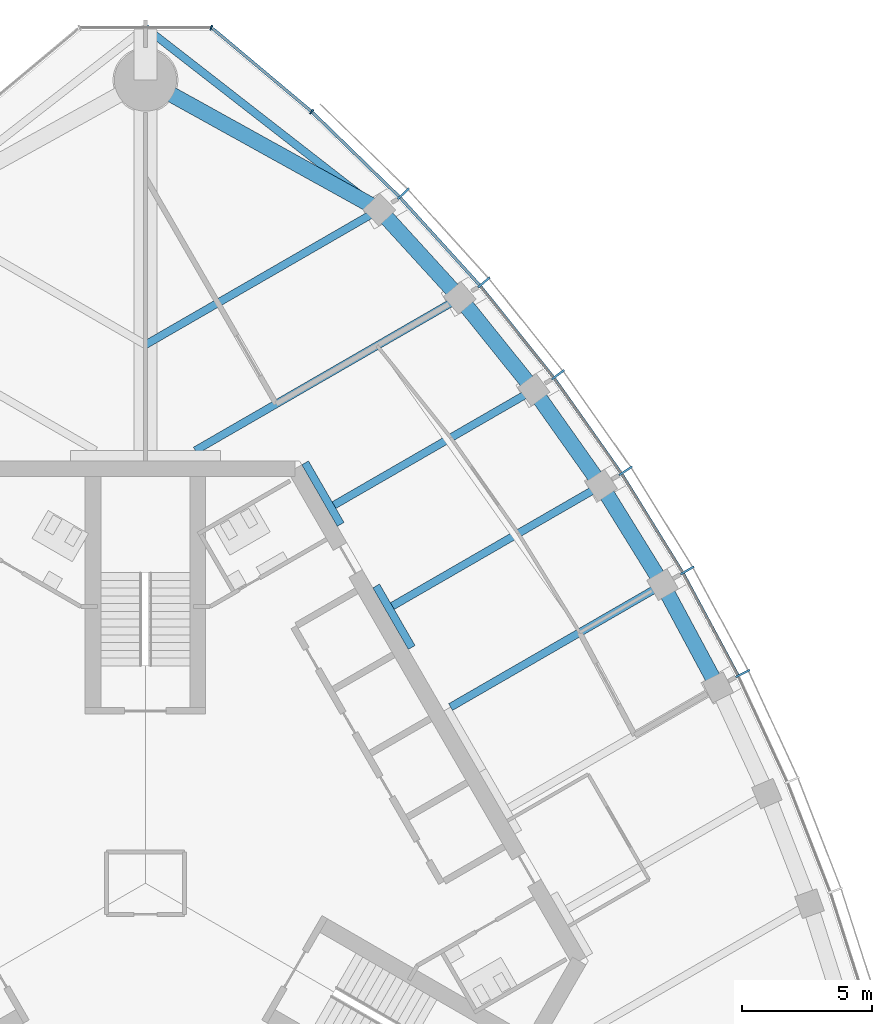
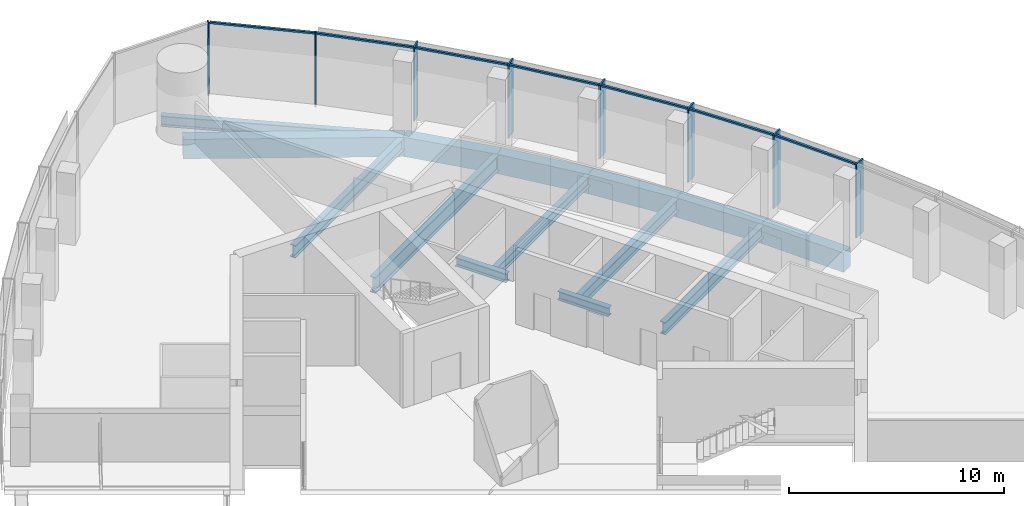
# One storey, part 6 of 16: 15 members, 14 beams, 2 elements without a shape of their own.
"""IFC4 building model written with IfcOpenShell, lengths in metres."""

from ifc_helpers import new_model, si_unit, direction, frame, origin, origin_2d, place, context, subcontext, project, spatial, rectangle, i_section, extrude, material, material_profile, profile_set, type_object, element, aggregate, save


model = new_model("IFC4")

# Units and contexts
model_context = context("Model", 3, precision=1e-05, world=origin(), true_north=direction((0.0, 1.0)))
body_context = subcontext(model_context, "Body", "Model", "MODEL_VIEW")
ifc_project = project(units=[si_unit("LENGTHUNIT", "METRE"), si_unit("AREAUNIT", "SQUARE_METRE"), si_unit("VOLUMEUNIT", "CUBIC_METRE"), si_unit("PLANEANGLEUNIT", "RADIAN"), si_unit("MASSUNIT", "GRAM", prefix="KILO")], contexts=[model_context])

# Site, building, storey
site_placement = place(None, origin())
site = spatial("IfcSite", under=ifc_project, at=site_placement, CompositionType="ELEMENT")
building_placement = place(site_placement, origin())
building = spatial("IfcBuilding", under=site, at=building_placement, Name="Trefoil Bronze Tower", CompositionType="ELEMENT")
storey_placement = place(building_placement, frame((0.0, 0.0, 314.10009765625)))
storey = spatial("IfcBuildingStorey", under=building, at=storey_placement, Name="L72", CompositionType="ELEMENT", Elevation=314.10009765625)

# Curtain wall, members
ifc_material_1 = material(Name="Tinted solar-control glass", Category="glass")
curtain_wall_type_1 = type_object("IfcCurtainWallType", Name="Bronze office curtain wall", PredefinedType="USERDEFINED", material=ifc_material_1)
curtain_wall_1_placement = place(storey_placement, origin())
curtain_wall_1 = element("IfcCurtainWall", 1, at=curtain_wall_1_placement, inside=storey, type_object=curtain_wall_type_1, Name="CW-A L72 F2", ObjectType="CURTAIN WALL", PredefinedType="USERDEFINED")
ifc_material_2 = material(Name="Bronze-finish aluminium", Category="aluminium")
ifc_material_profile_1 = material_profile(ifc_material_2, rectangle(XDim=0.60009765625, YDim=0.080078125, at=origin_2d()), Name="CW-A mullion")
ifc_profile_set_1 = profile_set([ifc_material_profile_1], Name="Bronze-finish aluminium")
member_type_1 = type_object("IfcMemberType", Name="Bronze office curtain wall mullion", PredefinedType="MULLION", material=ifc_profile_set_1)
member_1_placement = place(storey_placement, frame((23.056396484375, 8.094482421875, 0.0), z_axis=(0.0, 0.0, 1.0), x_axis=(-0.894713198289, -0.44664112306, 0.0)))
member_1 = element("IfcMember", 2, at=member_1_placement, type_object=member_type_1, Name="CW-A L72 F2 mullion 5", PredefinedType="MULLION", context=body_context, shape_type="SweptSolid", body=[
    extrude(rectangle(XDim=0.60009765625, YDim=0.080078125, at=origin_2d()), origin(), (0.0, 0.0, 1.0), 4.179931640625),
])
member_2_placement = place(storey_placement, frame((20.916015625, 12.07568359375, 0.0), z_axis=(0.0, 0.0, 1.0), x_axis=(-0.866025403784, -0.5, 0.0)))
member_2 = element("IfcMember", 3, at=member_2_placement, type_object=member_type_1, Name="CW-A L72 F2 mullion 6", PredefinedType="MULLION", context=body_context, shape_type="SweptSolid", body=[
    extrude(rectangle(XDim=0.60009765625, YDim=0.080078125, at=origin_2d()), origin(), (0.0, 0.0, 1.0), 4.179931640625),
])
member_3_placement = place(storey_placement, frame((18.538330078125, 15.920166015625, 0.0), z_axis=(0.0, 0.0, 1.0), x_axis=(-0.834159158089, -0.551523797289, 0.0)))
member_3 = element("IfcMember", 4, at=member_3_placement, type_object=member_type_1, Name="CW-A L72 F2 mullion 7", PredefinedType="MULLION", context=body_context, shape_type="SweptSolid", body=[
    extrude(rectangle(XDim=0.60009765625, YDim=0.080078125, at=origin_2d()), origin(), (0.0, 0.0, 1.0), 4.179931640625),
])
member_4_placement = place(storey_placement, frame((15.922607421875, 19.627197265625, 0.0), z_axis=(0.0, 0.0, 1.0), x_axis=(-0.799096076136, -0.601203344222, 0.0)))
member_4 = element("IfcMember", 5, at=member_4_placement, type_object=member_type_1, Name="CW-A L72 F2 mullion 8", PredefinedType="MULLION", context=body_context, shape_type="SweptSolid", body=[
    extrude(rectangle(XDim=0.60009765625, YDim=0.080078125, at=origin_2d()), origin(), (0.0, 0.0, 1.0), 4.179931640625),
])
member_5_placement = place(storey_placement, frame((13.064453125, 23.194091796875, 0.0), z_axis=(0.0, 0.0, 1.0), x_axis=(-0.760781190165, -0.649008459646, 0.0)))
member_5 = element("IfcMember", 6, at=member_5_placement, type_object=member_type_1, Name="CW-A L72 F2 mullion 9", PredefinedType="MULLION", context=body_context, shape_type="SweptSolid", body=[
    extrude(rectangle(XDim=0.60009765625, YDim=0.080078125, at=origin_2d()), origin(), (0.0, 0.0, 1.0), 4.179931640625),
])
member_6_placement = place(storey_placement, frame((9.957275390625, 26.617431640625, 0.0), z_axis=(0.0, 0.0, 1.0), x_axis=(-0.719001349715, -0.695008675564, 0.0)))
member_6 = element("IfcMember", 7, at=member_6_placement, type_object=member_type_1, Name="CW-A L72 F2 mullion 10", PredefinedType="MULLION", context=body_context, shape_type="SweptSolid", body=[
    extrude(rectangle(XDim=0.60009765625, YDim=0.080078125, at=origin_2d()), origin(), (0.0, 0.0, 1.0), 4.179931640625),
])
ifc_material_3 = material(Name="Bronze-finish aluminium", Category="aluminium")
ifc_material_profile_2 = material_profile(ifc_material_3, rectangle(XDim=0.1201171875, YDim=0.10009765625, at=origin_2d()), Name="CW-A transom")
ifc_profile_set_2 = profile_set([ifc_material_profile_2], Name="Bronze-finish aluminium")
member_type_2 = type_object("IfcMemberType", Name="Bronze office curtain wall transom", PredefinedType="USERDEFINED", material=ifc_profile_set_2)
member_7_placement = place(storey_placement, frame((22.857177734375, 8.043212890625, 4.1298828125), z_axis=(-0.473540024981, 0.880772300167, 0.0), x_axis=(-0.880772300167, -0.473540024981, 0.0)))
member_7 = element("IfcMember", 8, at=member_7_placement, type_object=member_type_2, Name="CW-A L72 F2 transom 5", ObjectType="TRANSOM", PredefinedType="USERDEFINED", context=body_context, shape_type="SweptSolid", body=[
    extrude(rectangle(XDim=0.1201171875, YDim=0.10009765625, at=origin_2d()), origin(), (0.0, 0.0, 1.0), 4.422119140625),
])
member_8_placement = place(storey_placement, frame((20.72021484375, 12.012451171875, 4.1298828125), z_axis=(-0.525978235299, 0.850498028212, 0.0), x_axis=(-0.850498028212, -0.525978235299, 0.0)))
member_8 = element("IfcMember", 9, at=member_8_placement, type_object=member_type_2, Name="CW-A L72 F2 transom 6", ObjectType="TRANSOM", PredefinedType="USERDEFINED", context=body_context, shape_type="SweptSolid", body=[
    extrude(rectangle(XDim=0.1201171875, YDim=0.10009765625, at=origin_2d()), origin(), (0.0, 0.0, 1.0), 4.422119140625),
])
member_9_placement = place(storey_placement, frame((18.3466796875, 15.84521484375, 4.1298828125), z_axis=(-0.5765665752, 0.817050172488, 0.0), x_axis=(-0.817050172488, -0.5765665752, 0.0)))
member_9 = element("IfcMember", 10, at=member_9_placement, type_object=member_type_2, Name="CW-A L72 F2 transom 7", ObjectType="TRANSOM", PredefinedType="USERDEFINED", context=body_context, shape_type="SweptSolid", body=[
    extrude(rectangle(XDim=0.1201171875, YDim=0.10009765625, at=origin_2d()), origin(), (0.0, 0.0, 1.0), 4.4384765625),
])
member_10_placement = place(storey_placement, frame((15.73583984375, 19.54052734375, 4.1298828125), z_axis=(-0.625300648488, 0.780383943325, 0.0), x_axis=(-0.780383943325, -0.625300648488, 0.0)))
member_10 = element("IfcMember", 11, at=member_10_placement, type_object=member_type_2, Name="CW-A L72 F2 transom 8", ObjectType="TRANSOM", PredefinedType="USERDEFINED", context=body_context, shape_type="SweptSolid", body=[
    extrude(rectangle(XDim=0.1201171875, YDim=0.10009765625, at=origin_2d()), origin(), (0.0, 0.0, 1.0), 4.472412109375),
])
member_11_placement = place(storey_placement, frame((12.88330078125, 23.09619140625, 4.1298828125), z_axis=(-0.672068269674, 0.740489190264, 0.0), x_axis=(-0.740489190264, -0.672068269674, 0.0)))
member_11 = element("IfcMember", 12, at=member_11_placement, type_object=member_type_2, Name="CW-A L72 F2 transom 9", ObjectType="TRANSOM", PredefinedType="USERDEFINED", context=body_context, shape_type="SweptSolid", body=[
    extrude(rectangle(XDim=0.1201171875, YDim=0.10009765625, at=origin_2d()), origin(), (0.0, 0.0, 1.0), 4.5244140625),
])
member_12_placement = place(storey_placement, frame((9.782470703125, 26.508544921875, 4.1298828125), z_axis=(-0.717224617883, 0.696842053484, 0.0), x_axis=(-0.696842053484, -0.717224617883, 0.0)))
member_12 = element("IfcMember", 13, at=member_12_placement, type_object=member_type_2, Name="CW-A L72 F2 transom 10", ObjectType="TRANSOM", PredefinedType="USERDEFINED", context=body_context, shape_type="SweptSolid", body=[
    extrude(rectangle(XDim=0.1201171875, YDim=0.10009765625, at=origin_2d()), origin(), (0.0, 0.0, 1.0), 4.6474609375),
])
aggregate(curtain_wall_1, [member_1, member_2, member_3, member_4, member_5, member_6, member_7, member_8, member_9, member_10, member_11, member_12])

ifc_material_4 = material(Name="Tinted solar-control glass", Category="glass")
curtain_wall_type_2 = type_object("IfcCurtainWallType", Name="Bronze rounded corner curtain wall", PredefinedType="USERDEFINED", material=ifc_material_4)
curtain_wall_2_placement = place(storey_placement, origin())
curtain_wall_2 = element("IfcCurtainWall", 14, at=curtain_wall_2_placement, inside=storey, type_object=curtain_wall_type_2, Name="CW-B L72 K2", ObjectType="CURTAIN WALL", PredefinedType="USERDEFINED")
ifc_material_5 = material(Name="Bronze-finish aluminium", Category="aluminium")
ifc_material_profile_3 = material_profile(ifc_material_5, rectangle(XDim=0.199951171875, YDim=0.06005859375, at=origin_2d()), Name="CW-B mullion")
ifc_profile_set_3 = profile_set([ifc_material_profile_3], Name="Bronze-finish aluminium")
member_type_3 = type_object("IfcMemberType", Name="Bronze rounded corner curtain wall mullion", PredefinedType="MULLION", material=ifc_profile_set_3)
member_13_placement = place(storey_placement, frame((6.4150390625, 29.77978515625, 0.0), z_axis=(0.0, 0.0, 1.0), x_axis=(-0.642787609687, -0.766044443119, 0.0)))
member_13 = element("IfcMember", 15, at=member_13_placement, type_object=member_type_3, Name="CW-B L72 K2 mullion 1", PredefinedType="MULLION", context=body_context, shape_type="SweptSolid", body=[
    extrude(rectangle(XDim=0.199951171875, YDim=0.06005859375, at=origin_2d()), origin(), (0.0, 0.0, 1.0), 4.179931640625),
])
member_14_placement = place(storey_placement, frame((2.542236328125, 33.021484375, 0.0), z_axis=(0.0, 0.0, 1.0), x_axis=(-0.342020143326, -0.939692620786, 0.0)))
member_14 = element("IfcMember", 16, at=member_14_placement, type_object=member_type_3, Name="CW-B L72 K2 mullion 2", PredefinedType="MULLION", context=body_context, shape_type="SweptSolid", body=[
    extrude(rectangle(XDim=0.199951171875, YDim=0.06005859375, at=origin_2d()), origin(), (0.0, 0.0, 1.0), 4.179931640625),
])
ifc_material_6 = material(Name="Bronze-finish aluminium", Category="aluminium")
ifc_material_profile_4 = material_profile(ifc_material_6, rectangle(XDim=0.1201171875, YDim=0.10009765625, at=origin_2d()), Name="CW-B transom")
ifc_profile_set_4 = profile_set([ifc_material_profile_4], Name="Bronze-finish aluminium")
member_type_4 = type_object("IfcMemberType", Name="Bronze rounded corner curtain wall transom", PredefinedType="USERDEFINED", material=ifc_profile_set_4)
member_15_placement = place(storey_placement, frame((6.39208984375, 29.799072265625, 4.1298828125), z_axis=(-0.766040522511, 0.642792282056, 0.0), x_axis=(-0.642792282056, -0.766040522511, 0.0)))
member_15 = element("IfcMember", 17, at=member_15_placement, type_object=member_type_4, Name="CW-B L72 K2 transom 1", ObjectType="TRANSOM", PredefinedType="USERDEFINED", context=body_context, shape_type="SweptSolid", body=[
    extrude(rectangle(XDim=0.1201171875, YDim=0.10009765625, at=origin_2d()), origin(), (0.0, 0.0, 1.0), 4.9560546875),
])
aggregate(curtain_wall_2, [member_13, member_14, member_15])

# Beams
ifc_material_7 = material(Name="Steel C355", Category="steel")
ifc_material_profile_5 = material_profile(ifc_material_7, i_section(OverallWidth=0.300048828125, OverallDepth=0.5, WebThickness=0.014404296875, FlangeThickness=0.028076171875, FilletRadius=0.027099609375, at=origin_2d()), Name="HEB 500")
ifc_profile_set_5 = profile_set([ifc_material_profile_5], Name="Steel C355")
beam_type_1 = type_object("IfcBeamType", Name="Core seat beam HEB 500", PredefinedType="BEAM", material=ifc_profile_set_5)
for number, where, z_axis, x_axis, name in (
    (18, (10.27685546875, 9.10009765625, -0.4501953125), (-0.500035825175, 0.866004719122, 0.0), (-0.866004719122, -0.500035825175, 0.0), "Core seat beam F2/+1 L72"),
    (19, (7.534423828125, 13.85009765625, -0.4501953125), (-0.499969057507, 0.866043267704, 0.0), (-0.866043267704, -0.499969057507, 0.0), "Core seat beam F2/+2 L72"),
):
    element("IfcBeam", number, at=place(storey_placement, frame(where, z_axis=z_axis, x_axis=x_axis)), inside=storey, type_object=beam_type_1, Name=name, PredefinedType="BEAM", context=body_context, shape_type="SweptSolid", body=[
        extrude(i_section(OverallWidth=0.300048828125, OverallDepth=0.5, WebThickness=0.014404296875, FlangeThickness=0.028076171875, FilletRadius=0.027099609375, at=origin_2d()), origin(), (0.0, 0.0, 1.0), 2.742431640625),
    ])
ifc_material_8 = material(Name="Steel C355", Category="steel")
ifc_material_profile_6 = material_profile(ifc_material_8, i_section(OverallWidth=0.300048828125, OverallDepth=0.60009765625, WebThickness=0.015380859375, FlangeThickness=0.030029296875, FilletRadius=0.027099609375, at=origin_2d()), Name="HEB 600")
ifc_profile_set_6 = profile_set([ifc_material_profile_6], Name="Steel C355")
beam_type_2 = type_object("IfcBeamType", Name="Corner edge beam HEB 600", PredefinedType="BEAM", material=ifc_profile_set_6)
beam_1_placement = place(storey_placement, frame((9.02734375, 25.99658203125, -0.5), z_axis=(-0.789270604977, 0.614045529354, 0.0), x_axis=(-0.614045529354, -0.789270604977, 0.0)))
element("IfcBeam", 20, at=beam_1_placement, inside=storey, type_object=beam_type_2, Name="Corner edge beam F2A L72", PredefinedType="BEAM", context=body_context, shape_type="SweptSolid", body=[
    extrude(i_section(OverallWidth=0.300048828125, OverallDepth=0.60009765625, WebThickness=0.015380859375, FlangeThickness=0.030029296875, FilletRadius=0.027099609375, at=origin_2d()), origin(), (0.0, 0.0, 1.0), 11.4375),
])
ifc_material_9 = material(Name="Concrete B80", Category="concrete")
ifc_material_profile_7 = material_profile(ifc_material_9, rectangle(XDim=0.60009765625, YDim=1.10009765625, at=origin_2d()), Name="RC 600x1100")
ifc_profile_set_7 = profile_set([ifc_material_profile_7], Name="Concrete B80")
beam_type_3 = type_object("IfcBeamType", Name="End spandrel beam RC 600x1100", PredefinedType="SPANDREL", material=ifc_profile_set_7)
beam_2_placement = place(storey_placement, frame((9.02734375, 25.99658203125, -0.75), z_axis=(-0.874641085074, 0.484771051426, 0.0), x_axis=(-0.484771051426, -0.874641085074, 0.0)))
element("IfcBeam", 21, at=beam_2_placement, inside=storey, type_object=beam_type_3, Name="Spandrel F2.10 L72", PredefinedType="SPANDREL", context=body_context, shape_type="SweptSolid", body=[
    extrude(rectangle(XDim=0.60009765625, YDim=1.10009765625, at=origin_2d()), origin(), (0.0, 0.0, 1.0), 10.3212890625),
])
ifc_material_10 = material(Name="Steel C355", Category="steel")
ifc_material_profile_8 = material_profile(ifc_material_10, i_section(OverallWidth=0.300048828125, OverallDepth=0.60009765625, WebThickness=0.015380859375, FlangeThickness=0.030029296875, FilletRadius=0.027099609375, at=origin_2d()), Name="HEB 600")
ifc_profile_set_8 = profile_set([ifc_material_profile_8], Name="Steel C355")
beam_type_4 = type_object("IfcBeamType", Name="Floor beam HEB 600", PredefinedType="BEAM", material=ifc_profile_set_8)
beam_3_placement = place(storey_placement, frame((14.98486328125, 19.043701171875, -0.5), z_axis=(-0.866034827411, -0.499983677445, 0.0), x_axis=(0.499983677445, -0.866034827411, 0.0)))
element("IfcBeam", 22, at=beam_3_placement, inside=storey, type_object=beam_type_4, Name="Floor beam F2/+2 L72", PredefinedType="BEAM", context=body_context, shape_type="SweptSolid", body=[
    extrude(i_section(OverallWidth=0.300048828125, OverallDepth=0.60009765625, WebThickness=0.015380859375, FlangeThickness=0.030029296875, FilletRadius=0.027099609375, at=origin_2d()), origin(), (0.0, 0.0, 1.0), 8.899169921875),
])
ifc_material_11 = material(Name="Steel C355", Category="steel")
ifc_material_profile_9 = material_profile(ifc_material_11, i_section(OverallWidth=0.300048828125, OverallDepth=0.699951171875, WebThickness=0.01708984375, FlangeThickness=0.031982421875, FilletRadius=0.027099609375, at=origin_2d()), Name="HEB 700")
ifc_profile_set_9 = profile_set([ifc_material_profile_9], Name="Steel C355")
beam_type_5 = type_object("IfcBeamType", Name="Floor beam HEB 700", PredefinedType="BEAM", material=ifc_profile_set_9)
beam_4_placement = place(storey_placement, frame((19.96337890625, 11.52587890625, -0.550048828125), z_axis=(-0.866029875693, -0.499992254348, 0.0), x_axis=(0.499992254348, -0.866029875693, 0.0)))
element("IfcBeam", 23, at=beam_4_placement, inside=storey, type_object=beam_type_5, Name="Floor beam F2/+0 L72", PredefinedType="BEAM", context=body_context, shape_type="SweptSolid", body=[
    extrude(i_section(OverallWidth=0.300048828125, OverallDepth=0.699951171875, WebThickness=0.01708984375, FlangeThickness=0.031982421875, FilletRadius=0.027099609375, at=origin_2d()), origin(), (0.0, 0.0, 1.0), 9.451904296875),
])
beam_5_placement = place(storey_placement, frame((17.593994140625, 15.35400390625, -0.550048828125), z_axis=(-0.866026261222, -0.499998514871, 0.0), x_axis=(0.499998514871, -0.866026261222, 0.0)))
element("IfcBeam", 24, at=beam_5_placement, inside=storey, type_object=beam_type_5, Name="Floor beam F2/+1 L72", PredefinedType="BEAM", context=body_context, shape_type="SweptSolid", body=[
    extrude(i_section(OverallWidth=0.300048828125, OverallDepth=0.699951171875, WebThickness=0.01708984375, FlangeThickness=0.031982421875, FilletRadius=0.027099609375, at=origin_2d()), origin(), (0.0, 0.0, 1.0), 9.31396484375),
])
beam_6_placement = place(storey_placement, frame((9.02734375, 25.99658203125, -0.550048828125), z_axis=(-0.866026453994, -0.499998180979, 0.0), x_axis=(0.499998180979, -0.866026453994, 0.0)))
element("IfcBeam", 25, at=beam_6_placement, inside=storey, type_object=beam_type_5, Name="Floor beam F2/+4 L72", PredefinedType="BEAM", context=body_context, shape_type="SweptSolid", body=[
    extrude(i_section(OverallWidth=0.300048828125, OverallDepth=0.699951171875, WebThickness=0.01708984375, FlangeThickness=0.031982421875, FilletRadius=0.027099609375, at=origin_2d()), origin(), (0.0, 0.0, 1.0), 10.423828125),
])
ifc_material_12 = material(Name="Steel C355", Category="steel")
ifc_material_profile_10 = material_profile(ifc_material_12, i_section(OverallWidth=0.300048828125, OverallDepth=0.89990234375, WebThickness=0.0185546875, FlangeThickness=0.034912109375, FilletRadius=0.030029296875, at=origin_2d()), Name="HEB 900")
ifc_profile_set_10 = profile_set([ifc_material_profile_10], Name="Steel C355")
beam_type_6 = type_object("IfcBeamType", Name="Floor beam HEB 900", PredefinedType="BEAM", material=ifc_profile_set_10)
beam_7_placement = place(storey_placement, frame((12.131591796875, 22.5927734375, -0.650146484375), z_axis=(-0.866017581749, -0.500013547917, 0.0), x_axis=(0.500013547917, -0.866017581749, 0.0)))
element("IfcBeam", 26, at=beam_7_placement, inside=storey, type_object=beam_type_6, Name="Floor beam F2/+3 L72", PredefinedType="BEAM", context=body_context, shape_type="SweptSolid", body=[
    extrude(i_section(OverallWidth=0.300048828125, OverallDepth=0.89990234375, WebThickness=0.0185546875, FlangeThickness=0.034912109375, FilletRadius=0.030029296875, at=origin_2d()), origin(), (0.0, 0.0, 1.0), 11.785400390625),
])
ifc_material_13 = material(Name="Concrete B80", Category="concrete")
ifc_material_profile_11 = material_profile(ifc_material_13, rectangle(XDim=0.60009765625, YDim=1.10009765625, at=origin_2d()), Name="RC 600x1100")
ifc_profile_set_11 = profile_set([ifc_material_profile_11], Name="Concrete B80")
beam_type_7 = type_object("IfcBeamType", Name="Spandrel beam RC 600x1100", PredefinedType="SPANDREL", material=ifc_profile_set_11)
beam_8_placement = place(storey_placement, frame((22.093994140625, 7.559814453125, -0.75), z_axis=(-0.473245885676, 0.880930378458, 0.0), x_axis=(-0.880930378458, -0.473245885676, 0.0)))
element("IfcBeam", 27, at=beam_8_placement, inside=storey, type_object=beam_type_7, Name="Spandrel F2.5 L72", PredefinedType="SPANDREL", context=body_context, shape_type="SweptSolid", body=[
    extrude(rectangle(XDim=0.60009765625, YDim=1.10009765625, at=origin_2d()), origin(), (0.0, 0.0, 1.0), 4.502197265625),
])
beam_9_placement = place(storey_placement, frame((19.96337890625, 11.52587890625, -0.75), z_axis=(-0.526289271956, 0.850305593433, 0.0), x_axis=(-0.850305593433, -0.526289271956, 0.0)))
element("IfcBeam", 28, at=beam_9_placement, inside=storey, type_object=beam_type_7, Name="Spandrel F2.6 L72", PredefinedType="SPANDREL", context=body_context, shape_type="SweptSolid", body=[
    extrude(rectangle(XDim=0.60009765625, YDim=1.10009765625, at=origin_2d()), origin(), (0.0, 0.0, 1.0), 4.501953125),
])
beam_10_placement = place(storey_placement, frame((17.593994140625, 15.35400390625, -0.75), z_axis=(-0.577368105169, 0.816483968693, 0.0), x_axis=(-0.816483968693, -0.577368105169, 0.0)))
element("IfcBeam", 29, at=beam_10_placement, inside=storey, type_object=beam_type_7, Name="Spandrel F2.7 L72", PredefinedType="SPANDREL", context=body_context, shape_type="SweptSolid", body=[
    extrude(rectangle(XDim=0.60009765625, YDim=1.10009765625, at=origin_2d()), origin(), (0.0, 0.0, 1.0), 4.51904296875),
])
beam_11_placement = place(storey_placement, frame((14.98486328125, 19.043701171875, -0.75), z_axis=(-0.626569682592, 0.779365403939, 0.0), x_axis=(-0.779365403939, -0.626569682592, 0.0)))
element("IfcBeam", 30, at=beam_11_placement, inside=storey, type_object=beam_type_7, Name="Spandrel F2.8 L72", PredefinedType="SPANDREL", context=body_context, shape_type="SweptSolid", body=[
    extrude(rectangle(XDim=0.60009765625, YDim=1.10009765625, at=origin_2d()), origin(), (0.0, 0.0, 1.0), 4.5537109375),
])
beam_12_placement = place(storey_placement, frame((12.131591796875, 22.5927734375, -0.75), z_axis=(-0.673845775847, 0.738872025707, 0.0), x_axis=(-0.738872025707, -0.673845775847, 0.0)))
element("IfcBeam", 31, at=beam_12_placement, inside=storey, type_object=beam_type_7, Name="Spandrel F2.9 L72", PredefinedType="SPANDREL", context=body_context, shape_type="SweptSolid", body=[
    extrude(rectangle(XDim=0.60009765625, YDim=1.10009765625, at=origin_2d()), origin(), (0.0, 0.0, 1.0), 4.606689453125),
])

save(model, "model.ifc")
